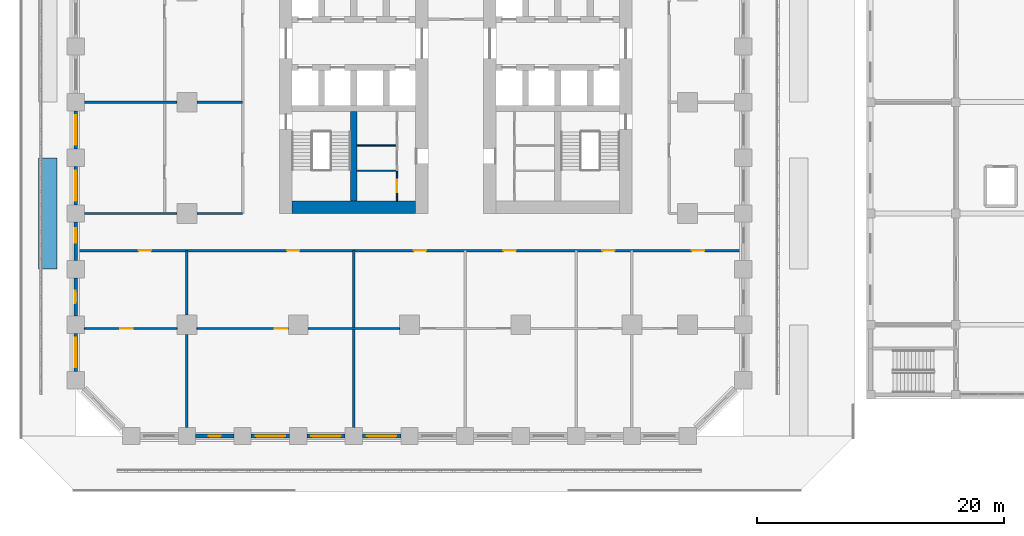
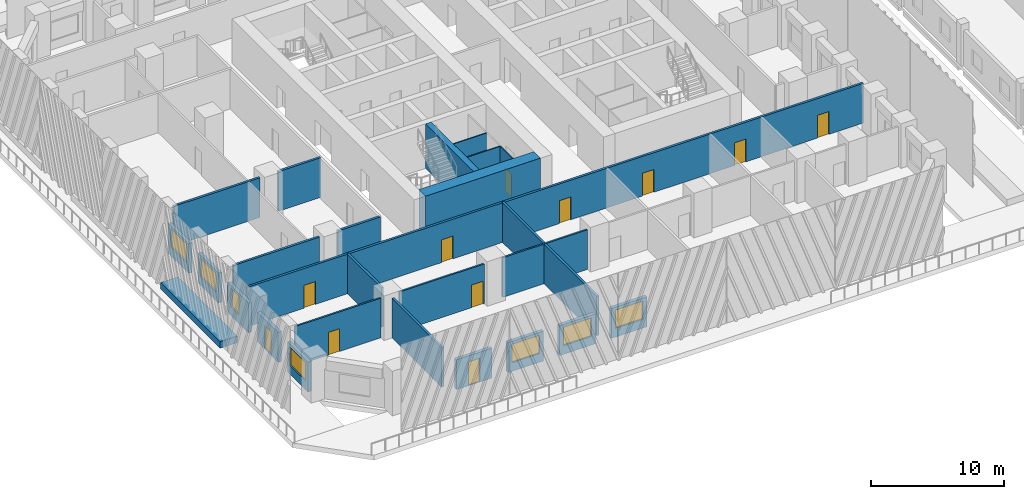
# One storey, part 17 of 36: 26 walls, 11 doors, 7 windows, 18 openings.
"""IFC4 building model written with IfcOpenShell, lengths in metres."""

from ifc_helpers import new_model, si_unit, direction, frame, frame_2d, origin, place, context, subcontext, project, spatial, rectangle, extrude, material, layer, layer_set, type_object, element, fill, save


model = new_model("IFC4")

# Units and contexts
model_context = context("Model", 3, precision=1e-05, world=origin(), true_north=direction((0.0, 1.0)))
body_context = subcontext(model_context, "Body", "Model", "MODEL_VIEW")
ifc_project = project(units=[si_unit("LENGTHUNIT", "METRE"), si_unit("AREAUNIT", "SQUARE_METRE"), si_unit("VOLUMEUNIT", "CUBIC_METRE"), si_unit("PLANEANGLEUNIT", "RADIAN"), si_unit("MASSUNIT", "GRAM", prefix="KILO")], contexts=[model_context])

# Site, building, storey
site_placement = place(None, origin())
site = spatial("IfcSite", under=ifc_project, at=site_placement, CompositionType="ELEMENT")
building_placement = place(site_placement, origin())
building = spatial("IfcBuilding", under=site, at=building_placement, Name="Corbel Stack Research Tower", CompositionType="ELEMENT")
storey_placement = place(building_placement, frame((0.0, 0.0, 7.199951171875)))
storey = spatial("IfcBuildingStorey", under=building, at=storey_placement, Name="L01", CompositionType="ELEMENT", Elevation=7.199951171875)

# Walls
ifc_material_1 = material(Name="Concrete C70/85", Category="concrete")
ifc_layer_1 = layer(ifc_material_1, 1.0)
ifc_layer_set_1 = layer_set([ifc_layer_1], Name="Concrete C70/85")
wall_type_1 = type_object("IfcWallType", Name="CW-1000-70", PredefinedType="SHEAR", material=ifc_layer_set_1)
wall_1_placement = place(storey_placement, frame((-9.5, -8.5, 0.0), z_axis=(0.0, 0.0, 1.0), x_axis=(1.0, 0.0, 0.0)))
element("IfcWall", 1, at=wall_1_placement, inside=storey, type_object=wall_type_1, Name="West core wall, south end L01", PredefinedType="SHEAR", context=body_context, shape_type="SweptSolid", body=[
    extrude(rectangle(XDim=10.0, YDim=1.0, at=frame_2d((5.0, 0.0))), origin(), (0.0, 0.0, 1.0), 4.10009765625),
])
ifc_material_2 = material(Name="Concrete C70/85", Category="concrete")
ifc_layer_2 = layer(ifc_material_2, 0.5)
ifc_layer_set_2 = layer_set([ifc_layer_2], Name="Concrete C70/85")
wall_type_2 = type_object("IfcWallType", Name="CW-500-70", PredefinedType="SHEAR", material=ifc_layer_set_2)
wall_2_placement = place(storey_placement, frame((-4.5, -8.0, 0.0), z_axis=(0.0, 0.0, 1.0), x_axis=(0.0, 1.0, 0.0)))
element("IfcWall", 2, at=wall_2_placement, inside=storey, type_object=wall_type_2, Name="West core wall, south stair and WC L01", PredefinedType="SHEAR", context=body_context, shape_type="SweptSolid", body=[
    extrude(rectangle(XDim=7.25, YDim=0.5, at=frame_2d((3.625, 0.0))), origin(), (0.0, 0.0, 1.0), 4.10009765625),
])

# Wall, opening, door
ifc_material_3 = material(Name="Gypsum board")
ifc_layer_3 = layer(ifc_material_3, 0.10009765625)
ifc_layer_set_3 = layer_set([ifc_layer_3], Name="Gypsum board")
wall_type_3 = type_object("IfcWallType", Name="Core partition 100", PredefinedType="PARTITIONING", material=ifc_layer_set_3)
wall_3_placement = place(storey_placement, frame((-1.0, -8.0, 0.0), z_axis=(0.0, 0.0, 1.0), x_axis=(0.0, 1.0, 0.0)))
wall_3 = element("IfcWall", 3, at=wall_3_placement, inside=storey, type_object=wall_type_3, Name="Core partition W", PredefinedType="PARTITIONING", context=body_context, shape_type="SweptSolid", body=[
    extrude(rectangle(XDim=2.465087890625, YDim=0.10009765625, at=frame_2d((1.232421875, 0.0))), origin(), (0.0, 0.0, 1.0), 3.650146484375),
])
opening_1_placement = place(wall_3_placement, frame((0.732421875, 0.0, 0.0)))
opening_1 = element("IfcOpeningElement", 4, at=opening_1_placement, cuts=wall_3, Name="Opening CR-W12-W2-1000", PredefinedType="OPENING", context=body_context, shape_type="SweptSolid", body=[
    extrude(rectangle(XDim=1.0, YDim=2.10009765625, at=frame_2d((0.5, 1.050048828125))), frame((0.0, 0.06005859375, 0.0), z_axis=(0.0, -1.0, 0.0), x_axis=(1.0, 0.0, 0.0)), (0.0, 0.0, 1.0), 0.1201171875),
])
ifc_material_4 = material(Name="Painted timber door", Category="wood")
door_type_1 = type_object("IfcDoorType", Name="WC door 1000 x 2100 right hand", OperationType="SINGLE_SWING_RIGHT", PredefinedType="DOOR", material=ifc_material_4)
door_1_placement = place(opening_1_placement, origin())
door_1 = element("IfcDoor", 5, at=door_1_placement, inside=storey, type_object=door_type_1, Name="Men's WC door W core", OperationType="SINGLE_SWING_RIGHT", OverallHeight=2.10009765625, OverallWidth=1.0, PredefinedType="DOOR", context=body_context, shape_type="SweptSolid", body=[
    extrude(rectangle(XDim=1.0, YDim=2.10009765625, at=frame_2d((0.5, 1.050048828125))), frame((0.0, 0.02490234375, 0.0), z_axis=(0.0, -1.0, 0.0), x_axis=(1.0, 0.0, 0.0)), (0.0, 0.0, 1.0), 0.050048828125),
])
fill(opening_1, door_1)

# Walls
for number, where, z_axis, x_axis, name in (
    (6, (-4.25, -5.534912109375, 0.0), (0.0, 0.0, 1.0), (1.0, 0.0, 0.0), "Core partition W"),
    (7, (-4.25, -3.5048828125, 0.0), (0.0, 0.0, 1.0), (1.0, 0.0, 0.0), "Core partition W"),
):
    element("IfcWall", number, at=place(storey_placement, frame(where, z_axis=z_axis, x_axis=x_axis)), inside=storey, type_object=wall_type_3, Name=name, PredefinedType="PARTITIONING", context=body_context, shape_type="SweptSolid", body=[
        extrude(rectangle(XDim=3.25, YDim=0.10009765625, at=frame_2d((1.625, 0.0))), origin(), (0.0, 0.0, 1.0), 3.650146484375),
    ])
ifc_material_5 = material(Name="Fire-rated gypsum board partition on steel studs", Category="steel")
ifc_layer_4 = layer(ifc_material_5, 0.199951171875)
ifc_layer_set_4 = layer_set([ifc_layer_4], Name="Fire-rated gypsum board partition on steel studs")
wall_type_4 = type_object("IfcWallType", Name="Fire-rated partition 200 EI 60", PredefinedType="PARTITIONING", material=ifc_layer_set_4)
wall_4_placement = place(storey_placement, frame((-18.0, -26.300048828125, 0.0), z_axis=(0.0, 0.0, 1.0), x_axis=(0.0, 1.0, 0.0)))
element("IfcWall", 8, at=wall_4_placement, inside=storey, type_object=wall_type_4, Name="Partition L01-002", PredefinedType="PARTITIONING", context=body_context, shape_type="SweptSolid", body=[
    extrude(rectangle(XDim=7.5, YDim=0.199951171875, at=frame_2d((3.75, 0.0))), origin(), (0.0, 0.0, 1.0), 3.650146484375),
])
wall_5_placement = place(storey_placement, frame((-18.0, -17.199951171875, 0.0), z_axis=(0.0, 0.0, 1.0), x_axis=(0.0, 1.0, 0.0)))
element("IfcWall", 9, at=wall_5_placement, inside=storey, type_object=wall_type_4, Name="Partition L01-003", PredefinedType="PARTITIONING", context=body_context, shape_type="SweptSolid", body=[
    extrude(rectangle(XDim=5.199951171875, YDim=0.199951171875, at=frame_2d((2.60009765625, 0.0))), origin(), (0.0, 0.0, 1.0), 3.650146484375),
])
wall_6_placement = place(storey_placement, frame((-4.5, -26.300048828125, 0.0), z_axis=(0.0, 0.0, 1.0), x_axis=(0.0, 1.0, 0.0)))
element("IfcWall", 10, at=wall_6_placement, inside=storey, type_object=wall_type_4, Name="Partition L01-006", PredefinedType="PARTITIONING", context=body_context, shape_type="SweptSolid", body=[
    extrude(rectangle(XDim=14.300048828125, YDim=0.199951171875, at=frame_2d((7.14990234375, 0.0))), origin(), (0.0, 0.0, 1.0), 3.650146484375),
])

# Wall, openings, doors
wall_7_placement = place(storey_placement, frame((26.85009765625, -12.0, 0.0), z_axis=(0.0, 0.0, 1.0), x_axis=(-1.0, 0.0, 0.0)))
wall_7 = element("IfcWall", 11, at=wall_7_placement, inside=storey, type_object=wall_type_4, Name="Partition L01-023", PredefinedType="PARTITIONING", context=body_context, shape_type="SweptSolid", body=[
    extrude(rectangle(XDim=53.7001953125, YDim=0.199951171875, at=frame_2d((26.85009765625, 0.0))), origin(), (0.0, 0.0, 1.0), 3.650146484375),
])
opening_2_placement = place(wall_7_placement, frame((47.75, 0.0, 0.0)))
opening_2 = element("IfcOpeningElement", 12, at=opening_2_placement, cuts=wall_7, Name="Opening B1V0H-012", PredefinedType="OPENING", context=body_context, shape_type="SweptSolid", body=[
    extrude(rectangle(XDim=1.0, YDim=2.10009765625, at=frame_2d((0.5, 1.050048828125))), frame((0.0, 0.10986328125, 0.0), z_axis=(0.0, -1.0, 0.0), x_axis=(1.0, 0.0, 0.0)), (0.0, 0.0, 1.0), 0.219970703125),
])
opening_3_placement = place(wall_7_placement, frame((35.75, 0.0, 0.0)))
opening_3 = element("IfcOpeningElement", 13, at=opening_3_placement, cuts=wall_7, Name="Opening B1V0H-013", PredefinedType="OPENING", context=body_context, shape_type="SweptSolid", body=[
    extrude(rectangle(XDim=1.0, YDim=2.10009765625, at=frame_2d((0.5, 1.050048828125))), frame((0.0, 0.10986328125, 0.0), z_axis=(0.0, -1.0, 0.0), x_axis=(1.0, 0.0, 0.0)), (0.0, 0.0, 1.0), 0.219970703125),
])
opening_4_placement = place(wall_7_placement, frame((25.5, 0.0, 0.0)))
opening_4 = element("IfcOpeningElement", 14, at=opening_4_placement, cuts=wall_7, Name="Opening B1V0H-014", PredefinedType="OPENING", context=body_context, shape_type="SweptSolid", body=[
    extrude(rectangle(XDim=1.0, YDim=2.10009765625, at=frame_2d((0.5, 1.050048828125))), frame((0.0, 0.10986328125, 0.0), z_axis=(0.0, -1.0, 0.0), x_axis=(1.0, 0.0, 0.0)), (0.0, 0.0, 1.0), 0.219970703125),
])
opening_5_placement = place(wall_7_placement, frame((18.25, 0.0, 0.0)))
opening_5 = element("IfcOpeningElement", 15, at=opening_5_placement, cuts=wall_7, Name="Opening B1V0H-015", PredefinedType="OPENING", context=body_context, shape_type="SweptSolid", body=[
    extrude(rectangle(XDim=1.0, YDim=2.10009765625, at=frame_2d((0.5, 1.050048828125))), frame((0.0, 0.10986328125, 0.0), z_axis=(0.0, -1.0, 0.0), x_axis=(1.0, 0.0, 0.0)), (0.0, 0.0, 1.0), 0.219970703125),
])
opening_6_placement = place(wall_7_placement, frame((10.25, 0.0, 0.0)))
opening_6 = element("IfcOpeningElement", 16, at=opening_6_placement, cuts=wall_7, Name="Opening B1V0H-016", PredefinedType="OPENING", context=body_context, shape_type="SweptSolid", body=[
    extrude(rectangle(XDim=1.0, YDim=2.10009765625, at=frame_2d((0.5, 1.050048828125))), frame((0.0, 0.10986328125, 0.0), z_axis=(0.0, -1.0, 0.0), x_axis=(1.0, 0.0, 0.0)), (0.0, 0.0, 1.0), 0.219970703125),
])
opening_7_placement = place(wall_7_placement, frame((3.0, 0.0, 0.0)))
opening_7 = element("IfcOpeningElement", 17, at=opening_7_placement, cuts=wall_7, Name="Opening B1V0H-017", PredefinedType="OPENING", context=body_context, shape_type="SweptSolid", body=[
    extrude(rectangle(XDim=1.0, YDim=2.10009765625, at=frame_2d((0.5, 1.050048828125))), frame((0.0, 0.10986328125, 0.0), z_axis=(0.0, -1.0, 0.0), x_axis=(1.0, 0.0, 0.0)), (0.0, 0.0, 1.0), 0.219970703125),
])
ifc_material_6 = material(Name="Painted steel fire door", Category="steel")
door_type_2 = type_object("IfcDoorType", Name="Fire door FD30S 1000 x 2100", OperationType="NOTDEFINED", PredefinedType="DOOR", material=ifc_material_6)
door_2_placement = place(opening_2_placement, origin())
door_2 = element("IfcDoor", 18, at=door_2_placement, inside=storey, type_object=door_type_2, Name="Door B1V0H-012", OperationType="SINGLE_SWING_RIGHT", OverallHeight=2.10009765625, OverallWidth=1.0, PredefinedType="DOOR", context=body_context, shape_type="SweptSolid", body=[
    extrude(rectangle(XDim=1.0, YDim=2.10009765625, at=frame_2d((0.5, 1.050048828125))), frame((0.0, 0.02490234375, 0.0), z_axis=(0.0, -1.0, 0.0), x_axis=(1.0, 0.0, 0.0)), (0.0, 0.0, 1.0), 0.050048828125),
])
fill(opening_2, door_2)
door_3_placement = place(opening_3_placement, origin())
door_3 = element("IfcDoor", 19, at=door_3_placement, inside=storey, type_object=door_type_2, Name="Door B1V0H-013", OperationType="SINGLE_SWING_RIGHT", OverallHeight=2.10009765625, OverallWidth=1.0, PredefinedType="DOOR", context=body_context, shape_type="SweptSolid", body=[
    extrude(rectangle(XDim=1.0, YDim=2.10009765625, at=frame_2d((0.5, 1.050048828125))), frame((0.0, 0.02490234375, 0.0), z_axis=(0.0, -1.0, 0.0), x_axis=(1.0, 0.0, 0.0)), (0.0, 0.0, 1.0), 0.050048828125),
])
fill(opening_3, door_3)
door_4_placement = place(opening_4_placement, origin())
door_4 = element("IfcDoor", 20, at=door_4_placement, inside=storey, type_object=door_type_2, Name="Door B1V0H-014", OperationType="SINGLE_SWING_LEFT", OverallHeight=2.10009765625, OverallWidth=1.0, PredefinedType="DOOR", context=body_context, shape_type="SweptSolid", body=[
    extrude(rectangle(XDim=1.0, YDim=2.10009765625, at=frame_2d((0.5, 1.050048828125))), frame((0.0, 0.02490234375, 0.0), z_axis=(0.0, -1.0, 0.0), x_axis=(1.0, 0.0, 0.0)), (0.0, 0.0, 1.0), 0.050048828125),
])
fill(opening_4, door_4)
door_5_placement = place(opening_5_placement, origin())
door_5 = element("IfcDoor", 21, at=door_5_placement, inside=storey, type_object=door_type_2, Name="Door B1V0H-015", OperationType="SINGLE_SWING_LEFT", OverallHeight=2.10009765625, OverallWidth=1.0, PredefinedType="DOOR", context=body_context, shape_type="SweptSolid", body=[
    extrude(rectangle(XDim=1.0, YDim=2.10009765625, at=frame_2d((0.5, 1.050048828125))), frame((0.0, 0.02490234375, 0.0), z_axis=(0.0, -1.0, 0.0), x_axis=(1.0, 0.0, 0.0)), (0.0, 0.0, 1.0), 0.050048828125),
])
fill(opening_5, door_5)
door_6_placement = place(opening_6_placement, origin())
door_6 = element("IfcDoor", 22, at=door_6_placement, inside=storey, type_object=door_type_2, Name="Door B1V0H-016", OperationType="SINGLE_SWING_LEFT", OverallHeight=2.10009765625, OverallWidth=1.0, PredefinedType="DOOR", context=body_context, shape_type="SweptSolid", body=[
    extrude(rectangle(XDim=1.0, YDim=2.10009765625, at=frame_2d((0.5, 1.050048828125))), frame((0.0, 0.02490234375, 0.0), z_axis=(0.0, -1.0, 0.0), x_axis=(1.0, 0.0, 0.0)), (0.0, 0.0, 1.0), 0.050048828125),
])
fill(opening_6, door_6)
door_7_placement = place(opening_7_placement, origin())
door_7 = element("IfcDoor", 23, at=door_7_placement, inside=storey, type_object=door_type_2, Name="Door B1V0H-017", OperationType="SINGLE_SWING_LEFT", OverallHeight=2.10009765625, OverallWidth=1.0, PredefinedType="DOOR", context=body_context, shape_type="SweptSolid", body=[
    extrude(rectangle(XDim=1.0, YDim=2.10009765625, at=frame_2d((0.5, 1.050048828125))), frame((0.0, 0.02490234375, 0.0), z_axis=(0.0, -1.0, 0.0), x_axis=(1.0, 0.0, 0.0)), (0.0, 0.0, 1.0), 0.050048828125),
])
fill(opening_7, door_7)

# Walls
wall_8_placement = place(storey_placement, frame((-26.300048828125, -9.0, 0.0), z_axis=(0.0, 0.0, 1.0), x_axis=(1.0, 0.0, 0.0)))
element("IfcWall", 24, at=wall_8_placement, inside=storey, type_object=wall_type_4, Name="Partition L01-024", PredefinedType="PARTITIONING", context=body_context, shape_type="SweptSolid", body=[
    extrude(rectangle(XDim=7.5, YDim=0.199951171875, at=frame_2d((3.75, 0.0))), origin(), (0.0, 0.0, 1.0), 3.650146484375),
])
wall_9_placement = place(storey_placement, frame((-17.199951171875, -9.0, 0.0), z_axis=(0.0, 0.0, 1.0), x_axis=(1.0, 0.0, 0.0)))
element("IfcWall", 25, at=wall_9_placement, inside=storey, type_object=wall_type_4, Name="Partition L01-025", PredefinedType="PARTITIONING", context=body_context, shape_type="SweptSolid", body=[
    extrude(rectangle(XDim=3.699951171875, YDim=0.199951171875, at=frame_2d((1.85009765625, 0.0))), origin(), (0.0, 0.0, 1.0), 3.650146484375),
])
wall_10_placement = place(storey_placement, frame((-26.300048828125, 0.0, 0.0), z_axis=(0.0, 0.0, 1.0), x_axis=(1.0, 0.0, 0.0)))
element("IfcWall", 26, at=wall_10_placement, inside=storey, type_object=wall_type_4, Name="Partition L01-028", PredefinedType="PARTITIONING", context=body_context, shape_type="SweptSolid", body=[
    extrude(rectangle(XDim=7.5, YDim=0.199951171875, at=frame_2d((3.75, 0.0))), origin(), (0.0, 0.0, 1.0), 3.650146484375),
])
wall_11_placement = place(storey_placement, frame((-17.199951171875, 0.0, 0.0), z_axis=(0.0, 0.0, 1.0), x_axis=(1.0, 0.0, 0.0)))
element("IfcWall", 27, at=wall_11_placement, inside=storey, type_object=wall_type_4, Name="Partition L01-029", PredefinedType="PARTITIONING", context=body_context, shape_type="SweptSolid", body=[
    extrude(rectangle(XDim=3.699951171875, YDim=0.199951171875, at=frame_2d((1.85009765625, 0.0))), origin(), (0.0, 0.0, 1.0), 3.650146484375),
])

# Wall, opening, door
ifc_material_7 = material(Name="Gypsum board partition on steel studs", Category="steel")
ifc_layer_5 = layer(ifc_material_7, 0.14990234375)
ifc_layer_set_5 = layer_set([ifc_layer_5], Name="Gypsum board partition on steel studs")
wall_type_5 = type_object("IfcWallType", Name="Partition 150", PredefinedType="PARTITIONING", material=ifc_layer_set_5)
wall_12_placement = place(storey_placement, frame((-18.800048828125, -18.300048828125, 0.0), z_axis=(0.0, 0.0, 1.0), x_axis=(-1.0, 0.0, 0.0)))
wall_12 = element("IfcWall", 28, at=wall_12_placement, inside=storey, type_object=wall_type_5, Name="Partition L01-016", PredefinedType="PARTITIONING", context=body_context, shape_type="SweptSolid", body=[
    extrude(rectangle(XDim=7.5, YDim=0.14990234375, at=frame_2d((3.75, 0.0))), origin(), (0.0, 0.0, 1.0), 3.650146484375),
])
opening_8_placement = place(wall_12_placement, frame((3.60009765625, 0.0, 0.0)))
opening_8 = element("IfcOpeningElement", 29, at=opening_8_placement, cuts=wall_12, Name="Opening B1V0H-004", PredefinedType="OPENING", context=body_context, shape_type="SweptSolid", body=[
    extrude(rectangle(XDim=1.0, YDim=2.10009765625, at=frame_2d((0.5, 1.050048828125))), frame((0.0, 0.0849609375, 0.0), z_axis=(0.0, -1.0, 0.0), x_axis=(1.0, 0.0, 0.0)), (0.0, 0.0, 1.0), 0.169921875),
])
ifc_material_8 = material(Name="Painted timber door", Category="wood")
door_type_3 = type_object("IfcDoorType", Name="Single door 1000 x 2100", OperationType="NOTDEFINED", PredefinedType="DOOR", material=ifc_material_8)
door_8_placement = place(opening_8_placement, origin())
door_8 = element("IfcDoor", 30, at=door_8_placement, inside=storey, type_object=door_type_3, Name="Door B1V0H-004", OperationType="SINGLE_SWING_RIGHT", OverallHeight=2.10009765625, OverallWidth=1.0, PredefinedType="DOOR", context=body_context, shape_type="SweptSolid", body=[
    extrude(rectangle(XDim=1.0, YDim=2.10009765625, at=frame_2d((0.5, 1.050048828125))), frame((0.0, 0.02490234375, 0.0), z_axis=(0.0, -1.0, 0.0), x_axis=(1.0, 0.0, 0.0)), (0.0, 0.0, 1.0), 0.050048828125),
])
fill(opening_8, door_8)

wall_13_placement = place(storey_placement, frame((-9.800048828125, -18.300048828125, 0.0), z_axis=(0.0, 0.0, 1.0), x_axis=(-1.0, 0.0, 0.0)))
wall_13 = element("IfcWall", 31, at=wall_13_placement, inside=storey, type_object=wall_type_5, Name="Partition L01-017", PredefinedType="PARTITIONING", context=body_context, shape_type="SweptSolid", body=[
    extrude(rectangle(XDim=7.39990234375, YDim=0.14990234375, at=frame_2d((3.699951171875, 0.0))), origin(), (0.0, 0.0, 1.0), 3.650146484375),
])
opening_9_placement = place(wall_13_placement, frame((0.10009765625, 0.0, 0.0)))
opening_9 = element("IfcOpeningElement", 32, at=opening_9_placement, cuts=wall_13, Name="Opening B1V0H-005", PredefinedType="OPENING", context=body_context, shape_type="SweptSolid", body=[
    extrude(rectangle(XDim=1.0, YDim=2.10009765625, at=frame_2d((0.5, 1.050048828125))), frame((0.0, 0.0849609375, 0.0), z_axis=(0.0, -1.0, 0.0), x_axis=(1.0, 0.0, 0.0)), (0.0, 0.0, 1.0), 0.169921875),
])
door_9_placement = place(opening_9_placement, origin())
door_9 = element("IfcDoor", 33, at=door_9_placement, inside=storey, type_object=door_type_3, Name="Door B1V0H-005", OperationType="SINGLE_SWING_LEFT", OverallHeight=2.10009765625, OverallWidth=1.0, PredefinedType="DOOR", context=body_context, shape_type="SweptSolid", body=[
    extrude(rectangle(XDim=1.0, YDim=2.10009765625, at=frame_2d((0.5, 1.050048828125))), frame((0.0, 0.02490234375, 0.0), z_axis=(0.0, -1.0, 0.0), x_axis=(1.0, 0.0, 0.0)), (0.0, 0.0, 1.0), 0.050048828125),
])
fill(opening_9, door_9)

# Walls
wall_14_placement = place(storey_placement, frame((-8.199951171875, -18.300048828125, 0.0), z_axis=(0.0, 0.0, 1.0), x_axis=(1.0, 0.0, 0.0)))
element("IfcWall", 34, at=wall_14_placement, inside=storey, type_object=wall_type_5, Name="Partition L01-018", PredefinedType="PARTITIONING", context=body_context, shape_type="SweptSolid", body=[
    extrude(rectangle(XDim=7.39990234375, YDim=0.14990234375, at=frame_2d((3.699951171875, 0.0))), origin(), (0.0, 0.0, 1.0), 3.650146484375),
])
ifc_material_9 = material(Name="Concrete C30/37", Category="concrete")
ifc_layer_6 = layer(ifc_material_9, 1.5)
ifc_layer_set_6 = layer_set([ifc_layer_6], Name="Concrete C30/37")
wall_type_6 = type_object("IfcWallType", Name="SW2 planter bed 1500", PredefinedType="SOLIDWALL", material=ifc_layer_set_6)
wall_15_placement = place(storey_placement, frame((-29.25, -13.5, 0.0), z_axis=(0.0, 0.0, 1.0), x_axis=(0.0, 1.0, 0.0)))
element("IfcWall", 35, at=wall_15_placement, inside=storey, type_object=wall_type_6, Name="PLANTER 5", PredefinedType="SOLIDWALL", context=body_context, shape_type="SweptSolid", body=[
    extrude(rectangle(XDim=9.0, YDim=1.5, at=frame_2d((4.5, 0.0))), origin(), (0.0, 0.0, 1.0), 0.60009765625),
])

# Wall, opening, door
ifc_material_10 = material(Name="Concrete C45/55", Category="concrete")
ifc_layer_7 = layer(ifc_material_10, 0.300048828125)
ifc_layer_set_7 = layer_set([ifc_layer_7], Name="Concrete C45/55")
wall_type_7 = type_object("IfcWallType", Name="Terracotta-faced concrete wall 300", PredefinedType="SOLIDWALL", material=ifc_layer_set_7)
wall_16_placement = place(storey_placement, frame((-14.199951171875, -27.0, 0.0), z_axis=(0.0, 0.0, 1.0), x_axis=(-1.0, 0.0, 0.0)))
wall_16 = element("IfcWall", 36, at=wall_16_placement, inside=storey, type_object=wall_type_7, Name="Facade wall L01 S02", PredefinedType="SOLIDWALL", context=body_context, shape_type="SweptSolid", body=[
    extrude(rectangle(XDim=3.10009765625, YDim=0.300048828125, at=frame_2d((1.550048828125, 0.0))), origin(), (0.0, 0.0, 1.0), 2.75),
])
opening_10_placement = place(wall_16_placement, frame((1.050048828125, 0.0, 0.0)))
opening_10 = element("IfcOpeningElement", 37, at=opening_10_placement, cuts=wall_16, Name="Opening L01-B01", PredefinedType="OPENING", context=body_context, shape_type="SweptSolid", body=[
    extrude(rectangle(XDim=1.0, YDim=2.199951171875, at=frame_2d((0.5, 1.10009765625))), frame((0.0, 0.159912109375, 0.0), z_axis=(0.0, -1.0, 0.0), x_axis=(1.0, 0.0, 0.0)), (0.0, 0.0, 1.0), 0.320068359375),
])
ifc_material_11 = material(Name="Aluminium frame, clear double glazing", Category="aluminium")
door_type_4 = type_object("IfcDoorType", Name="Balcony door BD1 1000 x 2200", OperationType="NOTDEFINED", PredefinedType="DOOR", material=ifc_material_11)
door_10_placement = place(opening_10_placement, origin())
door_10 = element("IfcDoor", 38, at=door_10_placement, inside=storey, type_object=door_type_4, Name="Balcony door L01-B01", OperationType="SINGLE_SWING_LEFT", OverallHeight=2.199951171875, OverallWidth=1.0, PredefinedType="DOOR", context=body_context, shape_type="SweptSolid", body=[
    extrude(rectangle(XDim=1.0, YDim=2.199951171875, at=frame_2d((0.5, 1.10009765625))), frame((0.0, 0.02490234375, 0.0), z_axis=(0.0, -1.0, 0.0), x_axis=(1.0, 0.0, 0.0)), (0.0, 0.0, 1.0), 0.050048828125),
])
fill(opening_10, door_10)

# Wall, opening, window
wall_17_placement = place(storey_placement, frame((-9.699951171875, -27.0, 0.0), z_axis=(0.0, 0.0, 1.0), x_axis=(-1.0, 0.0, 0.0)))
wall_17 = element("IfcWall", 39, at=wall_17_placement, inside=storey, type_object=wall_type_7, Name="Facade wall L01 S03", PredefinedType="SOLIDWALL", context=body_context, shape_type="SweptSolid", body=[
    extrude(rectangle(XDim=3.10009765625, YDim=0.300048828125, at=frame_2d((1.550048828125, 0.0))), origin(), (0.0, 0.0, 1.0), 2.75),
])
opening_11_placement = place(wall_17_placement, frame((0.35009765625, 0.0, 0.800048828125)))
opening_11 = element("IfcOpeningElement", 40, at=opening_11_placement, cuts=wall_17, Name="Opening W1", PredefinedType="OPENING", context=body_context, shape_type="SweptSolid", body=[
    extrude(rectangle(XDim=2.39990234375, YDim=1.699951171875, at=frame_2d((1.199951171875, 0.85009765625))), frame((0.0, 0.159912109375, 0.0), z_axis=(0.0, -1.0, 0.0), x_axis=(1.0, 0.0, 0.0)), (0.0, 0.0, 1.0), 0.320068359375),
])
ifc_material_12 = material(Name="Aluminium frame, clear double glazing", Category="aluminium")
window_type_1 = type_object("IfcWindowType", Name="Window W1 2400 x 1700", PartitioningType="SINGLE_PANEL", PredefinedType="WINDOW", material=ifc_material_12)
window_1_placement = place(opening_11_placement, origin())
window_1 = element("IfcWindow", 41, at=window_1_placement, inside=storey, type_object=window_type_1, Name="Window W1 L01 S03", OverallHeight=1.699951171875, OverallWidth=2.39990234375, PartitioningType="SINGLE_PANEL", PredefinedType="WINDOW", context=body_context, shape_type="SweptSolid", body=[
    extrude(rectangle(XDim=2.39990234375, YDim=1.699951171875, at=frame_2d((1.199951171875, 0.85009765625))), frame((0.0, 0.030029296875, 0.0), z_axis=(0.0, -1.0, 0.0), x_axis=(1.0, 0.0, 0.0)), (0.0, 0.0, 1.0), 0.06005859375),
])
fill(opening_11, window_1)

wall_18_placement = place(storey_placement, frame((-5.199951171875, -27.0, 0.0), z_axis=(0.0, 0.0, 1.0), x_axis=(-1.0, 0.0, 0.0)))
wall_18 = element("IfcWall", 42, at=wall_18_placement, inside=storey, type_object=wall_type_7, Name="Facade wall L01 S04", PredefinedType="SOLIDWALL", context=body_context, shape_type="SweptSolid", body=[
    extrude(rectangle(XDim=3.10009765625, YDim=0.300048828125, at=frame_2d((1.550048828125, 0.0))), origin(), (0.0, 0.0, 1.0), 2.75),
])
opening_12_placement = place(wall_18_placement, frame((0.35009765625, 0.0, 0.800048828125)))
opening_12 = element("IfcOpeningElement", 43, at=opening_12_placement, cuts=wall_18, Name="Opening W1", PredefinedType="OPENING", context=body_context, shape_type="SweptSolid", body=[
    extrude(rectangle(XDim=2.39990234375, YDim=1.699951171875, at=frame_2d((1.199951171875, 0.85009765625))), frame((0.0, 0.159912109375, 0.0), z_axis=(0.0, -1.0, 0.0), x_axis=(1.0, 0.0, 0.0)), (0.0, 0.0, 1.0), 0.320068359375),
])
window_2_placement = place(opening_12_placement, origin())
window_2 = element("IfcWindow", 44, at=window_2_placement, inside=storey, type_object=window_type_1, Name="Window W1 L01 S04", OverallHeight=1.699951171875, OverallWidth=2.39990234375, PartitioningType="SINGLE_PANEL", PredefinedType="WINDOW", context=body_context, shape_type="SweptSolid", body=[
    extrude(rectangle(XDim=2.39990234375, YDim=1.699951171875, at=frame_2d((1.199951171875, 0.85009765625))), frame((0.0, 0.030029296875, 0.0), z_axis=(0.0, -1.0, 0.0), x_axis=(1.0, 0.0, 0.0)), (0.0, 0.0, 1.0), 0.06005859375),
])
fill(opening_12, window_2)

wall_19_placement = place(storey_placement, frame((-0.699951171875, -27.0, 0.0), z_axis=(0.0, 0.0, 1.0), x_axis=(-1.0, 0.0, 0.0)))
wall_19 = element("IfcWall", 45, at=wall_19_placement, inside=storey, type_object=wall_type_7, Name="Facade wall L01 S05", PredefinedType="SOLIDWALL", context=body_context, shape_type="SweptSolid", body=[
    extrude(rectangle(XDim=3.10009765625, YDim=0.300048828125, at=frame_2d((1.550048828125, 0.0))), origin(), (0.0, 0.0, 1.0), 2.75),
])
opening_13_placement = place(wall_19_placement, frame((0.35009765625, 0.0, 0.800048828125)))
opening_13 = element("IfcOpeningElement", 46, at=opening_13_placement, cuts=wall_19, Name="Opening W1", PredefinedType="OPENING", context=body_context, shape_type="SweptSolid", body=[
    extrude(rectangle(XDim=2.39990234375, YDim=1.699951171875, at=frame_2d((1.199951171875, 0.85009765625))), frame((0.0, 0.159912109375, 0.0), z_axis=(0.0, -1.0, 0.0), x_axis=(1.0, 0.0, 0.0)), (0.0, 0.0, 1.0), 0.320068359375),
])
window_3_placement = place(opening_13_placement, origin())
window_3 = element("IfcWindow", 47, at=window_3_placement, inside=storey, type_object=window_type_1, Name="Window W1 L01 S05", OverallHeight=1.699951171875, OverallWidth=2.39990234375, PartitioningType="SINGLE_PANEL", PredefinedType="WINDOW", context=body_context, shape_type="SweptSolid", body=[
    extrude(rectangle(XDim=2.39990234375, YDim=1.699951171875, at=frame_2d((1.199951171875, 0.85009765625))), frame((0.0, 0.030029296875, 0.0), z_axis=(0.0, -1.0, 0.0), x_axis=(1.0, 0.0, 0.0)), (0.0, 0.0, 1.0), 0.06005859375),
])
fill(opening_13, window_3)

wall_20_placement = place(storey_placement, frame((-27.0, -3.800048828125, 0.0), z_axis=(0.0, 0.0, 1.0), x_axis=(0.0, 1.0, 0.0)))
wall_20 = element("IfcWall", 48, at=wall_20_placement, inside=storey, type_object=wall_type_7, Name="Facade wall L01 W06", PredefinedType="SOLIDWALL", context=body_context, shape_type="SweptSolid", body=[
    extrude(rectangle(XDim=3.10009765625, YDim=0.300048828125, at=frame_2d((1.550048828125, 0.0))), origin(), (0.0, 0.0, 1.0), 2.75),
])
opening_14_placement = place(wall_20_placement, frame((0.35009765625, 0.0, 0.800048828125)))
opening_14 = element("IfcOpeningElement", 49, at=opening_14_placement, cuts=wall_20, Name="Opening W1", PredefinedType="OPENING", context=body_context, shape_type="SweptSolid", body=[
    extrude(rectangle(XDim=2.39990234375, YDim=1.699951171875, at=frame_2d((1.199951171875, 0.85009765625))), frame((0.0, 0.159912109375, 0.0), z_axis=(0.0, -1.0, 0.0), x_axis=(1.0, 0.0, 0.0)), (0.0, 0.0, 1.0), 0.320068359375),
])
window_4_placement = place(opening_14_placement, origin())
window_4 = element("IfcWindow", 50, at=window_4_placement, inside=storey, type_object=window_type_1, Name="Window W1 L01 W06", OverallHeight=1.699951171875, OverallWidth=2.39990234375, PartitioningType="SINGLE_PANEL", PredefinedType="WINDOW", context=body_context, shape_type="SweptSolid", body=[
    extrude(rectangle(XDim=2.39990234375, YDim=1.699951171875, at=frame_2d((1.199951171875, 0.85009765625))), frame((0.0, 0.030029296875, 0.0), z_axis=(0.0, -1.0, 0.0), x_axis=(1.0, 0.0, 0.0)), (0.0, 0.0, 1.0), 0.06005859375),
])
fill(opening_14, window_4)

wall_21_placement = place(storey_placement, frame((-27.0, -8.300048828125, 0.0), z_axis=(0.0, 0.0, 1.0), x_axis=(0.0, 1.0, 0.0)))
wall_21 = element("IfcWall", 51, at=wall_21_placement, inside=storey, type_object=wall_type_7, Name="Facade wall L01 W07", PredefinedType="SOLIDWALL", context=body_context, shape_type="SweptSolid", body=[
    extrude(rectangle(XDim=3.10009765625, YDim=0.300048828125, at=frame_2d((1.550048828125, 0.0))), origin(), (0.0, 0.0, 1.0), 2.75),
])
opening_15_placement = place(wall_21_placement, frame((0.35009765625, 0.0, 0.800048828125)))
opening_15 = element("IfcOpeningElement", 52, at=opening_15_placement, cuts=wall_21, Name="Opening W1", PredefinedType="OPENING", context=body_context, shape_type="SweptSolid", body=[
    extrude(rectangle(XDim=2.39990234375, YDim=1.699951171875, at=frame_2d((1.199951171875, 0.85009765625))), frame((0.0, 0.159912109375, 0.0), z_axis=(0.0, -1.0, 0.0), x_axis=(1.0, 0.0, 0.0)), (0.0, 0.0, 1.0), 0.320068359375),
])
window_5_placement = place(opening_15_placement, origin())
window_5 = element("IfcWindow", 53, at=window_5_placement, inside=storey, type_object=window_type_1, Name="Window W1 L01 W07", OverallHeight=1.699951171875, OverallWidth=2.39990234375, PartitioningType="SINGLE_PANEL", PredefinedType="WINDOW", context=body_context, shape_type="SweptSolid", body=[
    extrude(rectangle(XDim=2.39990234375, YDim=1.699951171875, at=frame_2d((1.199951171875, 0.85009765625))), frame((0.0, 0.030029296875, 0.0), z_axis=(0.0, -1.0, 0.0), x_axis=(1.0, 0.0, 0.0)), (0.0, 0.0, 1.0), 0.06005859375),
])
fill(opening_15, window_5)

wall_22_placement = place(storey_placement, frame((-27.0, -12.800048828125, 0.0), z_axis=(0.0, 0.0, 1.0), x_axis=(0.0, 1.0, 0.0)))
wall_22 = element("IfcWall", 54, at=wall_22_placement, inside=storey, type_object=wall_type_7, Name="Facade wall L01 W08", PredefinedType="SOLIDWALL", context=body_context, shape_type="SweptSolid", body=[
    extrude(rectangle(XDim=3.10009765625, YDim=0.300048828125, at=frame_2d((1.550048828125, 0.0))), origin(), (0.0, 0.0, 1.0), 2.75),
])
opening_16_placement = place(wall_22_placement, frame((1.425048828125, 0.0, 0.800048828125)))
opening_16 = element("IfcOpeningElement", 55, at=opening_16_placement, cuts=wall_22, Name="Opening W2", PredefinedType="OPENING", context=body_context, shape_type="SweptSolid", body=[
    extrude(rectangle(XDim=1.199951171875, YDim=1.699951171875, at=frame_2d((0.60009765625, 0.85009765625))), frame((0.0, 0.159912109375, 0.0), z_axis=(0.0, -1.0, 0.0), x_axis=(1.0, 0.0, 0.0)), (0.0, 0.0, 1.0), 0.320068359375),
])
ifc_material_13 = material(Name="Aluminium frame, clear double glazing", Category="aluminium")
window_type_2 = type_object("IfcWindowType", Name="Window W2 1200 x 1700", PartitioningType="SINGLE_PANEL", PredefinedType="WINDOW", material=ifc_material_13)
window_6_placement = place(opening_16_placement, origin())
window_6 = element("IfcWindow", 56, at=window_6_placement, inside=storey, type_object=window_type_2, Name="Window W2 L01 W08", OverallHeight=1.699951171875, OverallWidth=1.199951171875, PartitioningType="SINGLE_PANEL", PredefinedType="WINDOW", context=body_context, shape_type="SweptSolid", body=[
    extrude(rectangle(XDim=1.199951171875, YDim=1.699951171875, at=frame_2d((0.60009765625, 0.85009765625))), frame((0.0, 0.030029296875, 0.0), z_axis=(0.0, -1.0, 0.0), x_axis=(1.0, 0.0, 0.0)), (0.0, 0.0, 1.0), 0.06005859375),
])
fill(opening_16, window_6)

# Wall, opening, door
wall_23_placement = place(storey_placement, frame((-27.0, -17.300048828125, 0.0), z_axis=(0.0, 0.0, 1.0), x_axis=(0.0, 1.0, 0.0)))
wall_23 = element("IfcWall", 57, at=wall_23_placement, inside=storey, type_object=wall_type_7, Name="Facade wall L01 W09", PredefinedType="SOLIDWALL", context=body_context, shape_type="SweptSolid", body=[
    extrude(rectangle(XDim=3.10009765625, YDim=0.300048828125, at=frame_2d((1.550048828125, 0.0))), origin(), (0.0, 0.0, 1.0), 2.75),
])
opening_17_placement = place(wall_23_placement, frame((1.050048828125, 0.0, 0.0)))
opening_17 = element("IfcOpeningElement", 58, at=opening_17_placement, cuts=wall_23, Name="Opening L01-B08", PredefinedType="OPENING", context=body_context, shape_type="SweptSolid", body=[
    extrude(rectangle(XDim=1.0, YDim=2.199951171875, at=frame_2d((0.5, 1.10009765625))), frame((0.0, 0.159912109375, 0.0), z_axis=(0.0, -1.0, 0.0), x_axis=(1.0, 0.0, 0.0)), (0.0, 0.0, 1.0), 0.320068359375),
])
door_11_placement = place(opening_17_placement, origin())
door_11 = element("IfcDoor", 59, at=door_11_placement, inside=storey, type_object=door_type_4, Name="Balcony door L01-B08", OperationType="SINGLE_SWING_RIGHT", OverallHeight=2.199951171875, OverallWidth=1.0, PredefinedType="DOOR", context=body_context, shape_type="SweptSolid", body=[
    extrude(rectangle(XDim=1.0, YDim=2.199951171875, at=frame_2d((0.5, 1.10009765625))), frame((0.0, 0.02490234375, 0.0), z_axis=(0.0, -1.0, 0.0), x_axis=(1.0, 0.0, 0.0)), (0.0, 0.0, 1.0), 0.050048828125),
])
fill(opening_17, door_11)

# Wall, opening, window
wall_24_placement = place(storey_placement, frame((-27.0, -21.800048828125, 0.0), z_axis=(0.0, 0.0, 1.0), x_axis=(0.0, 1.0, 0.0)))
wall_24 = element("IfcWall", 60, at=wall_24_placement, inside=storey, type_object=wall_type_7, Name="Facade wall L01 W10", PredefinedType="SOLIDWALL", context=body_context, shape_type="SweptSolid", body=[
    extrude(rectangle(XDim=3.10009765625, YDim=0.300048828125, at=frame_2d((1.550048828125, 0.0))), origin(), (0.0, 0.0, 1.0), 2.75),
])
opening_18_placement = place(wall_24_placement, frame((0.35009765625, 0.0, 0.800048828125)))
opening_18 = element("IfcOpeningElement", 61, at=opening_18_placement, cuts=wall_24, Name="Opening W1", PredefinedType="OPENING", context=body_context, shape_type="SweptSolid", body=[
    extrude(rectangle(XDim=2.39990234375, YDim=1.699951171875, at=frame_2d((1.199951171875, 0.85009765625))), frame((0.0, 0.159912109375, 0.0), z_axis=(0.0, -1.0, 0.0), x_axis=(1.0, 0.0, 0.0)), (0.0, 0.0, 1.0), 0.320068359375),
])
window_7_placement = place(opening_18_placement, origin())
window_7 = element("IfcWindow", 62, at=window_7_placement, inside=storey, type_object=window_type_1, Name="Window W1 L01 W10", OverallHeight=1.699951171875, OverallWidth=2.39990234375, PartitioningType="SINGLE_PANEL", PredefinedType="WINDOW", context=body_context, shape_type="SweptSolid", body=[
    extrude(rectangle(XDim=2.39990234375, YDim=1.699951171875, at=frame_2d((1.199951171875, 0.85009765625))), frame((0.0, 0.030029296875, 0.0), z_axis=(0.0, -1.0, 0.0), x_axis=(1.0, 0.0, 0.0)), (0.0, 0.0, 1.0), 0.06005859375),
])
fill(opening_18, window_7)

save(model, "model.ifc")
